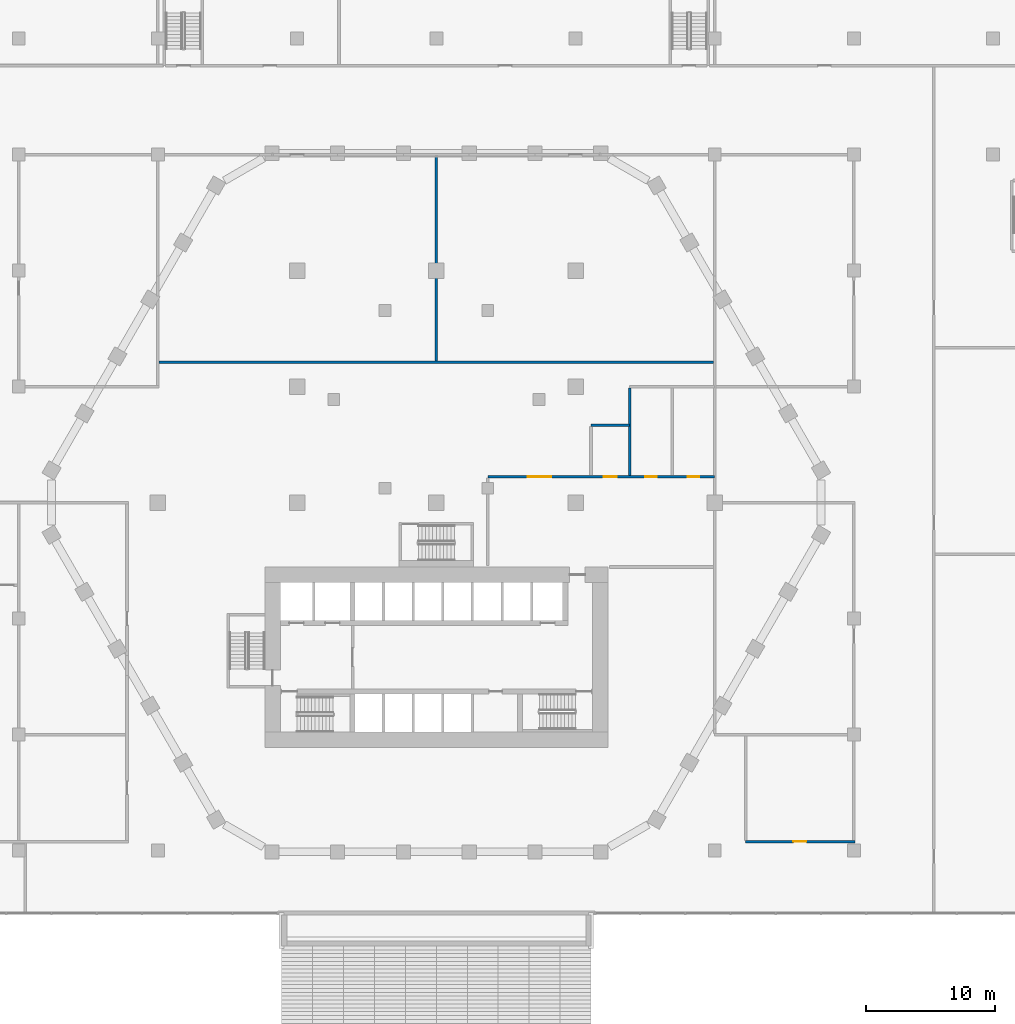
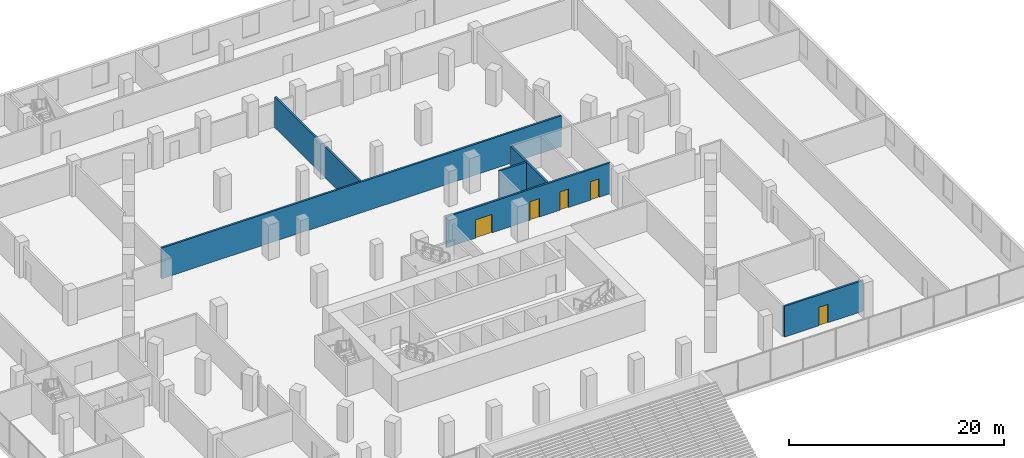
# One storey, part 16 of 45: 6 walls, 5 doors, 5 openings.
"""IFC4 building model written with IfcOpenShell, lengths in metres."""

from ifc_helpers import new_model, si_unit, direction, frame, frame_2d, origin, place, context, subcontext, project, spatial, rectangle, extrude, material, layer, layer_set, type_object, element, fill, save


model = new_model("IFC4")

# Units and contexts
model_context = context("Model", 3, precision=1e-05, world=origin(), true_north=direction((0.0, 1.0)))
body_context = subcontext(model_context, "Body", "Model", "MODEL_VIEW")
ifc_project = project(units=[si_unit("LENGTHUNIT", "METRE"), si_unit("AREAUNIT", "SQUARE_METRE"), si_unit("VOLUMEUNIT", "CUBIC_METRE"), si_unit("PLANEANGLEUNIT", "RADIAN"), si_unit("MASSUNIT", "GRAM", prefix="KILO")], contexts=[model_context])

# Site, building, storey
site_placement = place(None, origin())
site = spatial("IfcSite", under=ifc_project, at=site_placement, CompositionType="ELEMENT")
building_placement = place(site_placement, origin())
building = spatial("IfcBuilding", under=site, at=building_placement, Name="Beryl Residences", CompositionType="ELEMENT")
storey_placement = place(building_placement, frame((0.0, 0.0, 5.0)))
storey = spatial("IfcBuildingStorey", under=building, at=storey_placement, Name="L01", CompositionType="ELEMENT", Elevation=5.0)

# Wall, opening, door
ifc_material_1 = material(Name="Double stud gypsum board wall")
ifc_layer_1 = layer(ifc_material_1, 0.199951171875)
ifc_layer_set_1 = layer_set([ifc_layer_1], Name="PT10 tenancy wall 200 mm")
wall_type_1 = type_object("IfcWallType", Name="PT10 tenancy wall 200 mm", PredefinedType="PARTITIONING", material=ifc_layer_set_1)
wall_1_placement = place(storey_placement, frame((24.0, -26.300048828125, 0.0), z_axis=(0.0, 0.0, 1.0), x_axis=(1.0, 0.0, 0.0)))
wall_1 = element("IfcWall", 1, at=wall_1_placement, inside=storey, type_object=wall_type_1, Name="Wall PT10 L01 002", PredefinedType="PARTITIONING", context=body_context, shape_type="SweptSolid", body=[
    extrude(rectangle(XDim=8.5, YDim=0.199951171875, at=frame_2d((4.25, 0.0))), origin(), (0.0, 0.0, 1.0), 3.5),
])
opening_1_placement = place(wall_1_placement, frame((3.699951171875, 0.0, 0.0)))
opening_1 = element("IfcOpeningElement", 2, at=opening_1_placement, cuts=wall_1, Name="Opening L01-21", PredefinedType="OPENING", context=body_context, shape_type="SweptSolid", body=[
    extrude(rectangle(XDim=1.0, YDim=2.10009765625, at=frame_2d((0.5, 1.050048828125))), frame((0.0, 0.10986328125, 0.0), z_axis=(0.0, -1.0, 0.0), x_axis=(1.0, 0.0, 0.0)), (0.0, 0.0, 1.0), 0.219970703125),
])
ifc_material_2 = material(Name="Timber door leaf", Category="wood")
door_type_1 = type_object("IfcDoorType", Name="D9 corridor door 1000 x 2100 mm", OperationType="SINGLE_SWING_LEFT", PredefinedType="DOOR", material=ifc_material_2)
door_1_placement = place(opening_1_placement, origin())
door_1 = element("IfcDoor", 3, at=door_1_placement, inside=storey, type_object=door_type_1, Name="Door L01-21 L01 001", OperationType="SINGLE_SWING_LEFT", OverallHeight=2.10009765625, OverallWidth=1.0, PredefinedType="DOOR", context=body_context, shape_type="SweptSolid", body=[
    extrude(rectangle(XDim=1.0, YDim=2.10009765625, at=frame_2d((0.5, 1.050048828125))), frame((0.0, 0.02490234375, 0.0), z_axis=(0.0, -1.0, 0.0), x_axis=(1.0, 0.0, 0.0)), (0.0, 0.0, 1.0), 0.050048828125),
])
fill(opening_1, door_1)

# Walls
wall_2_placement = place(storey_placement, frame((-21.5, 10.89990234375, 0.0), z_axis=(0.0, 0.0, 1.0), x_axis=(1.0, 0.0, 0.0)))
element("IfcWall", 4, at=wall_2_placement, inside=storey, type_object=wall_type_1, Name="Wall PT10 L01 015", PredefinedType="PARTITIONING", context=body_context, shape_type="SweptSolid", body=[
    extrude(rectangle(XDim=43.0, YDim=0.199951171875, at=frame_2d((21.5, 0.0))), origin(), (0.0, 0.0, 1.0), 3.5),
])
wall_3_placement = place(storey_placement, frame((0.0, 11.0, 0.0), z_axis=(0.0, 0.0, 1.0), x_axis=(0.0, 1.0, 0.0)))
element("IfcWall", 5, at=wall_3_placement, inside=storey, type_object=wall_type_1, Name="Wall PT10 L01 043", PredefinedType="PARTITIONING", context=body_context, shape_type="SweptSolid", body=[
    extrude(rectangle(XDim=15.800048828125, YDim=0.199951171875, at=frame_2d((7.89990234375, 0.0))), origin(), (0.0, 0.0, 1.0), 3.5),
])
ifc_material_3 = material(Name="Cement board with tiles")
ifc_layer_2 = layer(ifc_material_3, 0.199951171875)
ifc_layer_set_2 = layer_set([ifc_layer_2], Name="PT11-200 wet area wall 200 mm")
wall_type_2 = type_object("IfcWallType", Name="PT11-200 wet area wall 200 mm", PredefinedType="PARTITIONING", material=ifc_layer_set_2)
wall_4_placement = place(storey_placement, frame((12.0, 6.0, 0.0), z_axis=(0.0, 0.0, 1.0), x_axis=(1.0, 0.0, 0.0)))
element("IfcWall", 6, at=wall_4_placement, inside=storey, type_object=wall_type_2, Name="Wall PT11-200 L01 001", PredefinedType="PARTITIONING", context=body_context, shape_type="SweptSolid", body=[
    extrude(rectangle(XDim=3.0, YDim=0.199951171875, at=frame_2d((1.5, 0.0))), origin(), (0.0, 0.0, 1.0), 3.5),
])
wall_5_placement = place(storey_placement, frame((15.0, 2.10009765625, 0.0), z_axis=(0.0, 0.0, 1.0), x_axis=(0.0, 1.0, 0.0)))
element("IfcWall", 7, at=wall_5_placement, inside=storey, type_object=wall_type_2, Name="Wall PT11-200 L01 007", PredefinedType="PARTITIONING", context=body_context, shape_type="SweptSolid", body=[
    extrude(rectangle(XDim=6.7998046875, YDim=0.199951171875, at=frame_2d((3.39990234375, 0.0))), origin(), (0.0, 0.0, 1.0), 3.5),
])

# Wall, openings, doors
ifc_material_4 = material(Name="Double stud gypsum board wall")
ifc_layer_3 = layer(ifc_material_4, 0.199951171875)
ifc_layer_set_3 = layer_set([ifc_layer_3], Name="PT4 corridor wall 200 mm double stud")
wall_type_3 = type_object("IfcWallType", Name="PT4 corridor wall 200 mm double stud", PredefinedType="PARTITIONING", material=ifc_layer_set_3)
wall_6_placement = place(storey_placement, frame((4.0, 2.0, 0.0), z_axis=(0.0, 0.0, 1.0), x_axis=(1.0, 0.0, 0.0)))
wall_6 = element("IfcWall", 8, at=wall_6_placement, inside=storey, type_object=wall_type_3, Name="Wall PT4 L01 006", PredefinedType="PARTITIONING", context=body_context, shape_type="SweptSolid", body=[
    extrude(rectangle(XDim=17.60009765625, YDim=0.199951171875, at=frame_2d((8.800048828125, 0.0))), origin(), (0.0, 0.0, 1.0), 3.5),
])
opening_2_placement = place(wall_6_placement, frame((3.09912109375, 0.0, 0.0)))
opening_2 = element("IfcOpeningElement", 9, at=opening_2_placement, cuts=wall_6, Name="Opening L01-22", PredefinedType="OPENING", context=body_context, shape_type="SweptSolid", body=[
    extrude(rectangle(XDim=1.800048828125, YDim=2.10009765625, at=frame_2d((0.89990234375, 1.050048828125))), frame((0.0, 0.10986328125, 0.0), z_axis=(0.0, -1.0, 0.0), x_axis=(1.0, 0.0, 0.0)), (0.0, 0.0, 1.0), 0.219970703125),
])
opening_3_placement = place(wall_6_placement, frame((9.0, 0.0, 0.0)))
opening_3 = element("IfcOpeningElement", 10, at=opening_3_placement, cuts=wall_6, Name="Opening L01-23", PredefinedType="OPENING", context=body_context, shape_type="SweptSolid", body=[
    extrude(rectangle(XDim=1.0, YDim=2.10009765625, at=frame_2d((0.5, 1.050048828125))), frame((0.0, 0.10986328125, 0.0), z_axis=(0.0, -1.0, 0.0), x_axis=(1.0, 0.0, 0.0)), (0.0, 0.0, 1.0), 0.219970703125),
])
opening_4_placement = place(wall_6_placement, frame((12.199951171875, 0.0, 0.0)))
opening_4 = element("IfcOpeningElement", 11, at=opening_4_placement, cuts=wall_6, Name="Opening L01-24", PredefinedType="OPENING", context=body_context, shape_type="SweptSolid", body=[
    extrude(rectangle(XDim=0.89990234375, YDim=2.10009765625, at=frame_2d((0.449951171875, 1.050048828125))), frame((0.0, 0.10986328125, 0.0), z_axis=(0.0, -1.0, 0.0), x_axis=(1.0, 0.0, 0.0)), (0.0, 0.0, 1.0), 0.219970703125),
])
opening_5_placement = place(wall_6_placement, frame((15.5, 0.0, 0.0)))
opening_5 = element("IfcOpeningElement", 12, at=opening_5_placement, cuts=wall_6, Name="Opening L01-25", PredefinedType="OPENING", context=body_context, shape_type="SweptSolid", body=[
    extrude(rectangle(XDim=0.89990234375, YDim=2.10009765625, at=frame_2d((0.449951171875, 1.050048828125))), frame((0.0, 0.10986328125, 0.0), z_axis=(0.0, -1.0, 0.0), x_axis=(1.0, 0.0, 0.0)), (0.0, 0.0, 1.0), 0.219970703125),
])
ifc_material_5 = material(Name="Timber door leaf", Category="wood")
door_type_2 = type_object("IfcDoorType", Name="D19 room door 1000 x 2100 mm", OperationType="SINGLE_SWING_LEFT", PredefinedType="DOOR", material=ifc_material_5)
door_2_placement = place(opening_3_placement, origin())
door_2 = element("IfcDoor", 13, at=door_2_placement, inside=storey, type_object=door_type_2, Name="Door L01-23 L01 001", OperationType="SINGLE_SWING_LEFT", OverallHeight=2.10009765625, OverallWidth=1.0, PredefinedType="DOOR", context=body_context, shape_type="SweptSolid", body=[
    extrude(rectangle(XDim=1.0, YDim=2.10009765625, at=frame_2d((0.5, 1.050048828125))), frame((0.0, 0.02490234375, 0.0), z_axis=(0.0, -1.0, 0.0), x_axis=(1.0, 0.0, 0.0)), (0.0, 0.0, 1.0), 0.050048828125),
])
fill(opening_3, door_2)
ifc_material_6 = material(Name="Timber door leaf", Category="wood")
door_type_3 = type_object("IfcDoorType", Name="D2 room door 900 x 2100 mm", OperationType="SINGLE_SWING_LEFT", PredefinedType="DOOR", material=ifc_material_6)
door_3_placement = place(opening_4_placement, origin())
door_3 = element("IfcDoor", 14, at=door_3_placement, inside=storey, type_object=door_type_3, Name="Door L01-24 L01 001", OperationType="SINGLE_SWING_RIGHT", OverallHeight=2.10009765625, OverallWidth=0.89990234375, PredefinedType="DOOR", context=body_context, shape_type="SweptSolid", body=[
    extrude(rectangle(XDim=0.89990234375, YDim=2.10009765625, at=frame_2d((0.449951171875, 1.050048828125))), frame((0.0, 0.02490234375, 0.0), z_axis=(0.0, -1.0, 0.0), x_axis=(1.0, 0.0, 0.0)), (0.0, 0.0, 1.0), 0.050048828125),
])
fill(opening_4, door_3)
door_4_placement = place(opening_5_placement, origin())
door_4 = element("IfcDoor", 15, at=door_4_placement, inside=storey, type_object=door_type_3, Name="Door L01-25 L01 001", OperationType="SINGLE_SWING_LEFT", OverallHeight=2.10009765625, OverallWidth=0.89990234375, PredefinedType="DOOR", context=body_context, shape_type="SweptSolid", body=[
    extrude(rectangle(XDim=0.89990234375, YDim=2.10009765625, at=frame_2d((0.449951171875, 1.050048828125))), frame((0.0, 0.02490234375, 0.0), z_axis=(0.0, -1.0, 0.0), x_axis=(1.0, 0.0, 0.0)), (0.0, 0.0, 1.0), 0.050048828125),
])
fill(opening_5, door_4)
ifc_material_7 = material(Name="Timber door leaf", Category="wood")
door_type_4 = type_object("IfcDoorType", Name="D20 corridor door 1800 x 2100 mm", OperationType="DOUBLE_DOOR_SINGLE_SWING", PredefinedType="DOOR", material=ifc_material_7)
door_5_placement = place(opening_2_placement, origin())
door_5 = element("IfcDoor", 16, at=door_5_placement, inside=storey, type_object=door_type_4, Name="Door L01-22 L01 001", OperationType="DOUBLE_DOOR_SINGLE_SWING", OverallHeight=2.10009765625, OverallWidth=1.800048828125, PredefinedType="DOOR", context=body_context, shape_type="SweptSolid", body=[
    extrude(rectangle(XDim=1.800048828125, YDim=2.10009765625, at=frame_2d((0.89990234375, 1.050048828125))), frame((0.0, 0.02490234375, 0.0), z_axis=(0.0, -1.0, 0.0), x_axis=(1.0, 0.0, 0.0)), (0.0, 0.0, 1.0), 0.050048828125),
])
fill(opening_2, door_5)

save(model, "model.ifc")
